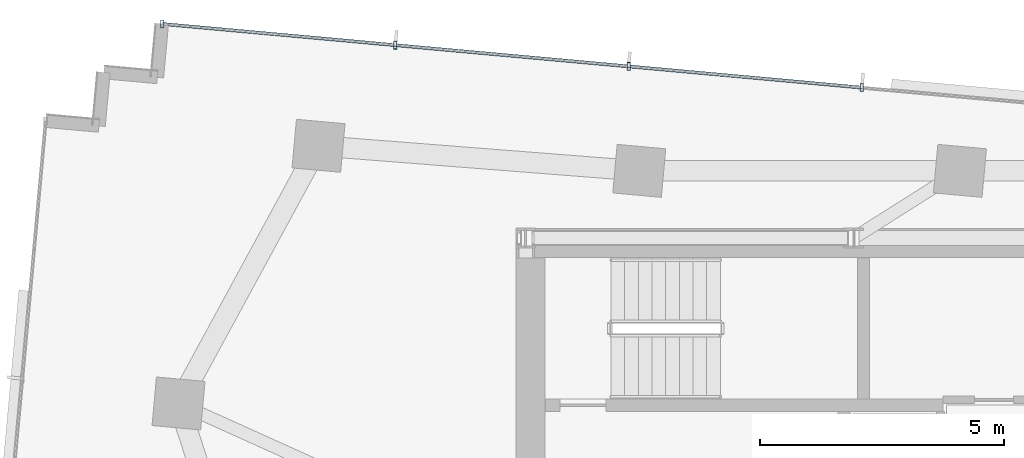
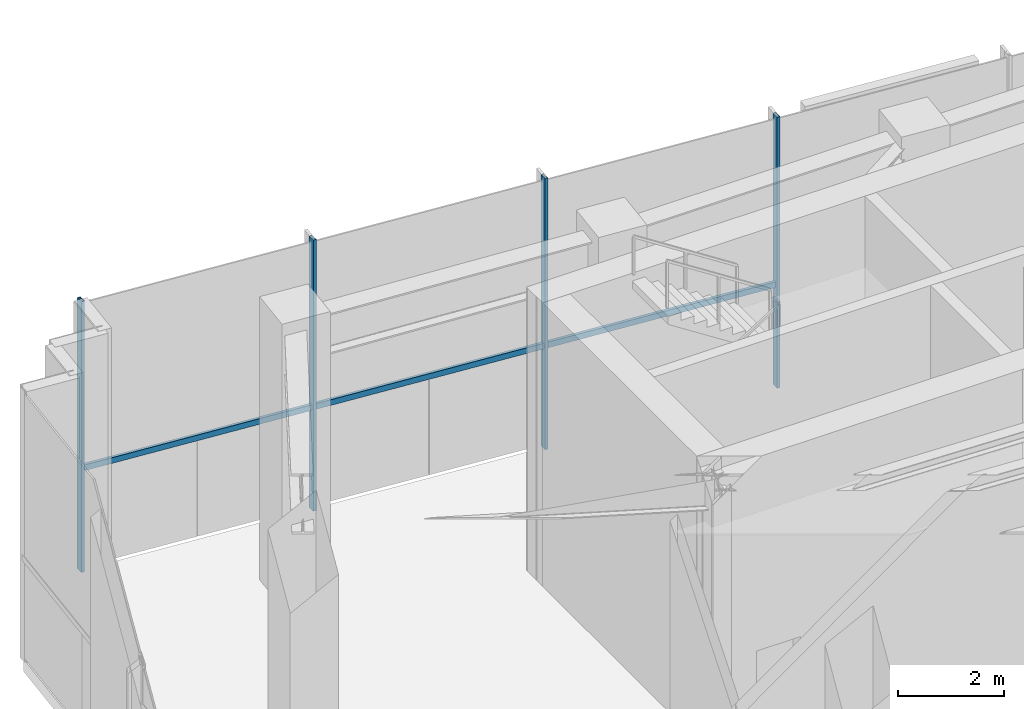
# One storey, part 10 of 18: 7 members, 1 element without a shape of its own.
"""IFC4 building model written with IfcOpenShell, lengths in metres."""

from ifc_helpers import new_model, si_unit, direction, frame, origin, origin_2d, place, context, subcontext, project, spatial, hollow_rectangle, extrude, source, transform, mapped, material, material_profile, profile_set, type_object, type_shapes, element, aggregate, save


model = new_model("IFC4")

# Units and contexts
model_context = context("Model", 3, precision=1e-05, world=origin(), true_north=direction((0.0, 1.0)))
body_context = subcontext(model_context, "Body", "Model", "MODEL_VIEW")
ifc_project = project(units=[si_unit("LENGTHUNIT", "METRE"), si_unit("AREAUNIT", "SQUARE_METRE"), si_unit("VOLUMEUNIT", "CUBIC_METRE"), si_unit("PLANEANGLEUNIT", "RADIAN"), si_unit("MASSUNIT", "GRAM", prefix="KILO")], contexts=[model_context])

# Site, building, storey
site_placement = place(None, origin())
site = spatial("IfcSite", under=ifc_project, at=site_placement, CompositionType="ELEMENT")
building_placement = place(site_placement, origin())
building = spatial("IfcBuilding", under=site, at=building_placement, Name="Astriad Promenade Condominiums", CompositionType="ELEMENT")
storey_placement = place(building_placement, frame((0.0, 0.0, 277.300048828125)))
storey = spatial("IfcBuildingStorey", under=building, at=storey_placement, Name="L78", CompositionType="ELEMENT", Elevation=277.300048828125)

# Curtain wall, members
ifc_material_1 = material(Name="Anodised aluminium Black Dark Glass Unitised", Category="aluminium")
curtain_wall_type = type_object("IfcCurtainWallType", Name="CW-TMD-LANTERN", PredefinedType="USERDEFINED", material=ifc_material_1)
curtain_wall_placement = place(storey_placement, origin())
curtain_wall = element("IfcCurtainWall", 1, at=curtain_wall_placement, inside=storey, type_object=curtain_wall_type, Name="CW-CRN-L78-08", ObjectType="UNITISED_CURTAIN_WALL", PredefinedType="USERDEFINED")
ifc_material_2 = material(Name="Anodised aluminium 6063-T6 Black", Category="aluminium")
ifc_material_profile_1 = material_profile(ifc_material_2, hollow_rectangle(XDim=0.06494140625, YDim=0.159912109375, WallThickness=0.00390625, at=origin_2d()), Name="ALU-MUL-65X160")
ifc_profile_set_1 = profile_set([ifc_material_profile_1], Name="Anodised aluminium 6063-T6 Black")
member_type_1 = type_object("IfcMemberType", Name="MUL-ALU-MUL-65X160", PredefinedType="MULLION", material=ifc_profile_set_1)
shared_shape_1 = source(origin(), body_context, "Body", "SweptSolid", [
    extrude(hollow_rectangle(XDim=0.06494140625, YDim=0.159912109375, WallThickness=0.00390625, at=origin_2d()), origin(), (0.0, 0.0, 1.0), 6.219970703125),
])
type_shapes(member_type_1, [shared_shape_1])
member_1_placement = place(storey_placement, frame((18.948974609375, 28.391845703125, 0.0), z_axis=(0.0, 0.0, 1.0), x_axis=(1.0, 0.0, 0.0)))
member_1 = element("IfcMember", 2, at=member_1_placement, type_object=member_type_1, Name="CW-CRN-L78-08-MUL-00", PredefinedType="MULLION", context=body_context, shape_type="MappedRepresentation", body=[
    mapped(shared_shape_1, transform((0.0, 0.0, 0.0), scale=1.0)),
])
member_2_placement = place(storey_placement, frame((23.72900390625, 27.956787109375, 0.0), z_axis=(0.0, 0.0, 1.0), x_axis=(1.0, 0.0, 0.0)))
member_2 = element("IfcMember", 3, at=member_2_placement, type_object=member_type_1, Name="CW-CRN-L78-08-MUL-01", PredefinedType="MULLION", context=body_context, shape_type="MappedRepresentation", body=[
    mapped(shared_shape_1, transform((0.0, 0.0, 0.0), scale=1.0)),
])
member_3_placement = place(storey_placement, frame((28.509521484375, 27.521728515625, 0.0), z_axis=(0.0, 0.0, 1.0), x_axis=(1.0, 0.0, 0.0)))
member_3 = element("IfcMember", 4, at=member_3_placement, type_object=member_type_1, Name="CW-CRN-L78-08-MUL-02", PredefinedType="MULLION", context=body_context, shape_type="MappedRepresentation", body=[
    mapped(shared_shape_1, transform((0.0, 0.0, 0.0), scale=1.0)),
])
member_4_placement = place(storey_placement, frame((33.28955078125, 27.086669921875, 0.0), z_axis=(0.0, 0.0, 1.0), x_axis=(1.0, 0.0, 0.0)))
member_4 = element("IfcMember", 5, at=member_4_placement, type_object=member_type_1, Name="CW-CRN-L78-08-MUL-03", PredefinedType="MULLION", context=body_context, shape_type="MappedRepresentation", body=[
    mapped(shared_shape_1, transform((0.0, 0.0, 0.0), scale=1.0)),
])
ifc_material_profile_2 = material_profile(ifc_material_2, hollow_rectangle(XDim=0.06494140625, YDim=0.1298828125, WallThickness=0.00390625, at=origin_2d()), Name="ALU-TRN-65X130")
ifc_profile_set_2 = profile_set([ifc_material_profile_2], Name="Anodised aluminium 6063-T6 Black")
member_type_2 = type_object("IfcMemberType", Name="TRN-ALU-TRN-65X130", PredefinedType="USERDEFINED", material=ifc_profile_set_2)
shared_shape_2 = source(origin(), body_context, "Body", "SweptSolid", [
    extrude(hollow_rectangle(XDim=0.06494140625, YDim=0.1298828125, WallThickness=0.00390625, at=origin_2d()), origin(), (0.0, 0.0, 1.0), 4.7998046875),
])
member_5_placement = place(storey_placement, frame((18.948974609375, 28.391845703125, 2.349853515625), z_axis=(0.9958836116, -0.090641227635, 0.0), x_axis=(0.090641227635, 0.9958836116, 0.0)))
member_5 = element("IfcMember", 6, at=member_5_placement, type_object=member_type_2, Name="CW-CRN-L78-08-TRN-00-0", ObjectType="TRANSOM", PredefinedType="USERDEFINED", context=body_context, shape_type="MappedRepresentation", body=[
    mapped(shared_shape_2, transform((0.0, 0.0, 0.0), scale=1.0)),
])
member_6_placement = place(storey_placement, frame((28.509521484375, 27.521728515625, 2.349853515625), z_axis=(0.9958836116, -0.090641227635, 0.0), x_axis=(0.090641227635, 0.9958836116, 0.0)))
member_6 = element("IfcMember", 7, at=member_6_placement, type_object=member_type_2, Name="CW-CRN-L78-08-TRN-02-0", ObjectType="TRANSOM", PredefinedType="USERDEFINED", context=body_context, shape_type="MappedRepresentation", body=[
    mapped(shared_shape_2, transform((0.0, 0.0, 0.0), scale=1.0)),
])
shared_shape_3 = source(origin(), body_context, "Body", "SweptSolid", [
    extrude(hollow_rectangle(XDim=0.06494140625, YDim=0.1298828125, WallThickness=0.00390625, at=origin_2d()), origin(), (0.0, 0.0, 1.0), 4.80029296875),
])
type_shapes(member_type_2, [shared_shape_2, shared_shape_3])
member_7_placement = place(storey_placement, frame((23.72900390625, 27.956787109375, 2.349853515625), z_axis=(0.995884447267, -0.090632045607, 0.0), x_axis=(0.090632045607, 0.995884447267, 0.0)))
member_7 = element("IfcMember", 8, at=member_7_placement, type_object=member_type_2, Name="CW-CRN-L78-08-TRN-01-0", ObjectType="TRANSOM", PredefinedType="USERDEFINED", context=body_context, shape_type="MappedRepresentation", body=[
    mapped(shared_shape_3, transform((0.0, 0.0, 0.0), scale=1.0)),
])
aggregate(curtain_wall, [member_1, member_2, member_3, member_4, member_5, member_7, member_6])

save(model, "model.ifc")
